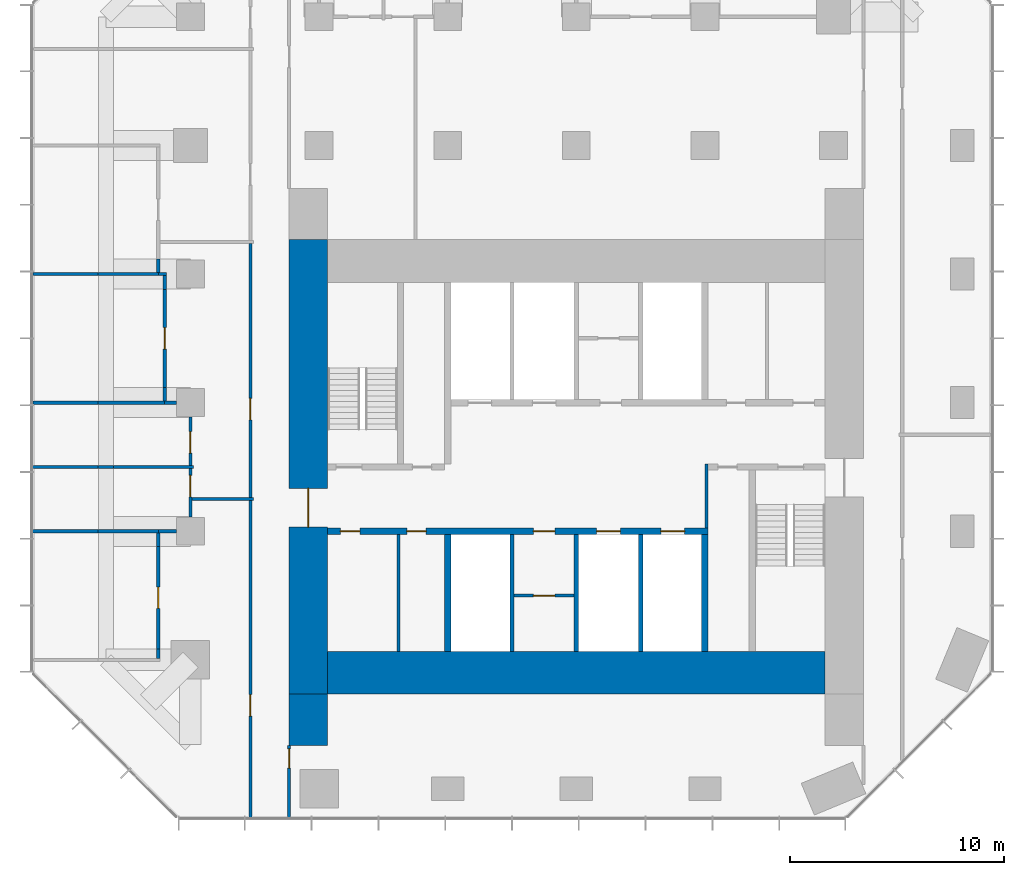
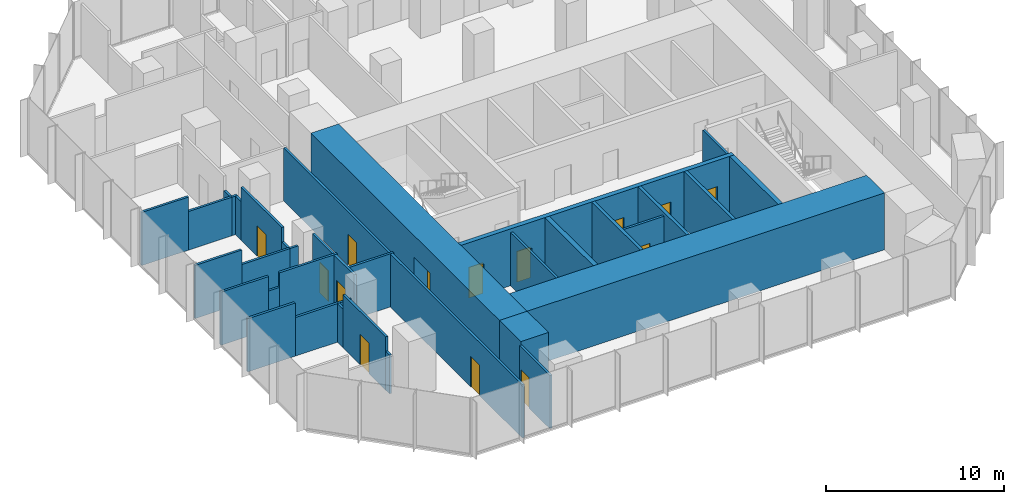
# One storey, part 8 of 11: 37 walls, 14 doors, 14 openings.
"""IFC4 building model written with IfcOpenShell, lengths in metres."""

from ifc_helpers import new_model, si_unit, direction, frame, frame_2d, origin, place, context, subcontext, project, spatial, rectangle, extrude, material, layer, layer_set, type_object, element, fill, save


model = new_model("IFC4")

# Units and contexts
model_context = context("Model", 3, precision=1e-05, world=origin(), true_north=direction((0.0, 1.0)))
body_context = subcontext(model_context, "Body", "Model", "MODEL_VIEW")
ifc_project = project(units=[si_unit("LENGTHUNIT", "METRE"), si_unit("AREAUNIT", "SQUARE_METRE"), si_unit("VOLUMEUNIT", "CUBIC_METRE"), si_unit("PLANEANGLEUNIT", "RADIAN"), si_unit("MASSUNIT", "GRAM", prefix="KILO")], contexts=[model_context])

# Site, building, storey
site_placement = place(None, origin())
site = spatial("IfcSite", under=ifc_project, at=site_placement, CompositionType="ELEMENT")
building_placement = place(site_placement, origin())
building = spatial("IfcBuilding", under=site, at=building_placement, Name="Highveld Stack Headquarters", CompositionType="ELEMENT")
storey_placement = place(building_placement, frame((0.0, 0.0, 200.60009765625)))
storey = spatial("IfcBuildingStorey", under=building, at=storey_placement, Name="L49", CompositionType="ELEMENT", Elevation=200.60009765625)

# Wall, opening, door
ifc_material_1 = material(Name="Concrete C60/75", Category="concrete")
ifc_layer_1 = layer(ifc_material_1, 1.800048828125)
ifc_layer_set_1 = layer_set([ifc_layer_1], Name="Concrete C60/75")
wall_type_1 = type_object("IfcWallType", Name="CORE WALL 1800 C60/75", PredefinedType="SHEAR", material=ifc_layer_set_1)
wall_1_placement = place(storey_placement, frame((-6.5, -7.60009765625, 0.0), z_axis=(0.0, 0.0, 1.0), x_axis=(0.0, 1.0, 0.0)))
wall_1 = element("IfcWall", 1, at=wall_1_placement, inside=storey, type_object=wall_type_1, Name="Core wall W L49", PredefinedType="SHEAR", context=body_context, shape_type="SweptSolid", body=[
    extrude(rectangle(XDim=21.2001953125, YDim=1.800048828125, at=frame_2d((10.60009765625, 0.0))), origin(), (0.0, 0.0, 1.0), 3.89990234375),
])
opening_1_placement = place(wall_1_placement, frame((7.800048828125, 0.0, 0.0)))
opening_1 = element("IfcOpeningElement", 2, at=opening_1_placement, cuts=wall_1, Name="Opening L49-01", PredefinedType="OPENING", context=body_context, shape_type="SweptSolid", body=[
    extrude(rectangle(XDim=1.800048828125, YDim=2.39990234375, at=frame_2d((0.89990234375, 1.199951171875))), frame((0.0, 0.909912109375, 0.0), z_axis=(0.0, -1.0, 0.0), x_axis=(1.0, 0.0, 0.0)), (0.0, 0.0, 1.0), 1.820068359375),
])
ifc_material_2 = material(Name="Steel fire door", Category="steel")
door_type_1 = type_object("IfcDoorType", Name="LOBBY FIRE DOOR D4 1800x2400", OperationType="DOUBLE_DOOR_SINGLE_SWING", PredefinedType="DOOR", material=ifc_material_2)
door_1_placement = place(opening_1_placement, origin())
door_1 = element("IfcDoor", 3, at=door_1_placement, inside=storey, type_object=door_type_1, Name="Core west door L49", OperationType="DOUBLE_DOOR_SINGLE_SWING", OverallHeight=2.39990234375, OverallWidth=1.800048828125, PredefinedType="DOOR", context=body_context, shape_type="SweptSolid", body=[
    extrude(rectangle(XDim=1.800048828125, YDim=2.39990234375, at=frame_2d((0.89990234375, 1.199951171875))), frame((0.0, 0.02490234375, 0.0), z_axis=(0.0, -1.0, 0.0), x_axis=(1.0, 0.0, 0.0)), (0.0, 0.0, 1.0), 0.050048828125),
])
fill(opening_1, door_1)

# Wall
ifc_material_3 = material(Name="Concrete C60/75", Category="concrete")
ifc_layer_2 = layer(ifc_material_3, 2.0)
ifc_layer_set_2 = layer_set([ifc_layer_2], Name="Concrete C60/75")
wall_type_2 = type_object("IfcWallType", Name="CORE WALL 2000 C60/75", PredefinedType="SHEAR", material=ifc_layer_set_2)
wall_2_placement = place(storey_placement, frame((-5.60009765625, -6.60009765625, 0.0), z_axis=(0.0, 0.0, 1.0), x_axis=(1.0, 0.0, 0.0)))
element("IfcWall", 4, at=wall_2_placement, inside=storey, type_object=wall_type_2, Name="Core wall S L49", PredefinedType="SHEAR", context=body_context, shape_type="SweptSolid", body=[
    extrude(rectangle(XDim=23.2001953125, YDim=2.0, at=frame_2d((11.60009765625, 0.0))), origin(), (0.0, 0.0, 1.0), 3.89990234375),
])

# Wall, openings, doors
ifc_material_4 = material(Name="Concrete C60/75", Category="concrete")
ifc_layer_3 = layer(ifc_material_4, 0.300048828125)
ifc_layer_set_3 = layer_set([ifc_layer_3], Name="Concrete C60/75")
wall_type_3 = type_object("IfcWallType", Name="CORE WALL 300 C60/75", PredefinedType="SHEAR", material=ifc_layer_set_3)
wall_3_placement = place(storey_placement, frame((-5.60009765625, 0.0, 0.0), z_axis=(0.0, 0.0, 1.0), x_axis=(1.0, 0.0, 0.0)))
wall_3 = element("IfcWall", 5, at=wall_3_placement, inside=storey, type_object=wall_type_3, Name="Core wall I-Y0 L49", PredefinedType="SHEAR", context=body_context, shape_type="SweptSolid", body=[
    extrude(rectangle(XDim=17.75, YDim=0.300048828125, at=frame_2d((8.875, 0.0))), origin(), (0.0, 0.0, 1.0), 3.89990234375),
])
opening_2_placement = place(wall_3_placement, frame((0.60009765625, 0.0, 0.0)))
opening_2 = element("IfcOpeningElement", 6, at=opening_2_placement, cuts=wall_3, Name="Opening L49-07", PredefinedType="OPENING", context=body_context, shape_type="SweptSolid", body=[
    extrude(rectangle(XDim=0.89990234375, YDim=2.10009765625, at=frame_2d((0.449951171875, 1.050048828125))), frame((0.0, 0.159912109375, 0.0), z_axis=(0.0, -1.0, 0.0), x_axis=(1.0, 0.0, 0.0)), (0.0, 0.0, 1.0), 0.320068359375),
])
opening_3_placement = place(wall_3_placement, frame((3.699951171875, 0.0, 0.0)))
opening_3 = element("IfcOpeningElement", 7, at=opening_3_placement, cuts=wall_3, Name="Opening L49-08", PredefinedType="OPENING", context=body_context, shape_type="SweptSolid", body=[
    extrude(rectangle(XDim=0.89990234375, YDim=2.10009765625, at=frame_2d((0.449951171875, 1.050048828125))), frame((0.0, 0.159912109375, 0.0), z_axis=(0.0, -1.0, 0.0), x_axis=(1.0, 0.0, 0.0)), (0.0, 0.0, 1.0), 0.320068359375),
])
opening_4_placement = place(wall_3_placement, frame((9.60009765625, 0.0, 0.0)))
opening_4 = element("IfcOpeningElement", 8, at=opening_4_placement, cuts=wall_3, Name="Opening L49-14", PredefinedType="OPENING", context=body_context, shape_type="SweptSolid", body=[
    extrude(rectangle(XDim=1.0, YDim=2.10009765625, at=frame_2d((0.5, 1.050048828125))), frame((0.0, 0.159912109375, 0.0), z_axis=(0.0, -1.0, 0.0), x_axis=(1.0, 0.0, 0.0)), (0.0, 0.0, 1.0), 0.320068359375),
])
opening_5_placement = place(wall_3_placement, frame((12.550048828125, 0.0, 0.0)))
opening_5 = element("IfcOpeningElement", 9, at=opening_5_placement, cuts=wall_3, Name="Opening LD", PredefinedType="OPENING", context=body_context, shape_type="SweptSolid", body=[
    extrude(rectangle(XDim=1.10009765625, YDim=2.10009765625, at=frame_2d((0.550048828125, 1.050048828125))), frame((0.0, 0.159912109375, 0.0), z_axis=(0.0, -1.0, 0.0), x_axis=(1.0, 0.0, 0.0)), (0.0, 0.0, 1.0), 0.320068359375),
])
opening_6_placement = place(wall_3_placement, frame((15.550048828125, 0.0, 0.0)))
opening_6 = element("IfcOpeningElement", 10, at=opening_6_placement, cuts=wall_3, Name="Opening LD", PredefinedType="OPENING", context=body_context, shape_type="SweptSolid", body=[
    extrude(rectangle(XDim=1.10009765625, YDim=2.10009765625, at=frame_2d((0.550048828125, 1.050048828125))), frame((0.0, 0.159912109375, 0.0), z_axis=(0.0, -1.0, 0.0), x_axis=(1.0, 0.0, 0.0)), (0.0, 0.0, 1.0), 0.320068359375),
])
ifc_material_5 = material(Name="Steel fire door", Category="steel")
door_type_2 = type_object("IfcDoorType", Name="CORE ROOM FIRE DOOR D14 1000x2100", OperationType="SINGLE_SWING_LEFT", PredefinedType="DOOR", material=ifc_material_5)
door_2_placement = place(opening_4_placement, origin())
door_2 = element("IfcDoor", 11, at=door_2_placement, inside=storey, type_object=door_type_2, Name="Capped B 1 door L49", OperationType="SINGLE_SWING_RIGHT", OverallHeight=2.10009765625, OverallWidth=1.0, PredefinedType="DOOR", context=body_context, shape_type="SweptSolid", body=[
    extrude(rectangle(XDim=1.0, YDim=2.10009765625, at=frame_2d((0.5, 1.050048828125))), frame((0.0, 0.02490234375, 0.0), z_axis=(0.0, -1.0, 0.0), x_axis=(1.0, 0.0, 0.0)), (0.0, 0.0, 1.0), 0.050048828125),
])
fill(opening_4, door_2)
ifc_material_6 = material(Name="Stainless steel lift landing door", Category="steel")
door_type_3 = type_object("IfcDoorType", Name="LIFT LANDING DOOR LD 1100x2100", OperationType="DOUBLE_DOOR_SLIDING", PredefinedType="USERDEFINED", material=ifc_material_6)
door_3_placement = place(opening_5_placement, origin())
door_3 = element("IfcDoor", 12, at=door_3_placement, inside=storey, type_object=door_type_3, Name="Lift landing door C1 L49", ObjectType="LIFT LANDING DOOR", OperationType="DOUBLE_DOOR_SLIDING", OverallHeight=2.10009765625, OverallWidth=1.10009765625, PredefinedType="USERDEFINED", context=body_context, shape_type="SweptSolid", body=[
    extrude(rectangle(XDim=1.10009765625, YDim=2.10009765625, at=frame_2d((0.550048828125, 1.050048828125))), frame((0.0, 0.02490234375, 0.0), z_axis=(0.0, -1.0, 0.0), x_axis=(1.0, 0.0, 0.0)), (0.0, 0.0, 1.0), 0.050048828125),
])
fill(opening_5, door_3)
door_4_placement = place(opening_6_placement, origin())
door_4 = element("IfcDoor", 13, at=door_4_placement, inside=storey, type_object=door_type_3, Name="Lift landing door C2 L49", ObjectType="LIFT LANDING DOOR", OperationType="DOUBLE_DOOR_SLIDING", OverallHeight=2.10009765625, OverallWidth=1.10009765625, PredefinedType="USERDEFINED", context=body_context, shape_type="SweptSolid", body=[
    extrude(rectangle(XDim=1.10009765625, YDim=2.10009765625, at=frame_2d((0.550048828125, 1.050048828125))), frame((0.0, 0.02490234375, 0.0), z_axis=(0.0, -1.0, 0.0), x_axis=(1.0, 0.0, 0.0)), (0.0, 0.0, 1.0), 0.050048828125),
])
fill(opening_6, door_4)
ifc_material_7 = material(Name="Timber door, painted", Category="wood")
door_type_4 = type_object("IfcDoorType", Name="WC DOOR D1 900x2100", OperationType="SINGLE_SWING_LEFT", PredefinedType="DOOR", material=ifc_material_7)
door_5_placement = place(opening_2_placement, origin())
door_5 = element("IfcDoor", 14, at=door_5_placement, inside=storey, type_object=door_type_4, Name="Female WC door L49", OperationType="SINGLE_SWING_LEFT", OverallHeight=2.10009765625, OverallWidth=0.89990234375, PredefinedType="DOOR", context=body_context, shape_type="SweptSolid", body=[
    extrude(rectangle(XDim=0.89990234375, YDim=2.10009765625, at=frame_2d((0.449951171875, 1.050048828125))), frame((0.0, 0.02490234375, 0.0), z_axis=(0.0, -1.0, 0.0), x_axis=(1.0, 0.0, 0.0)), (0.0, 0.0, 1.0), 0.050048828125),
])
fill(opening_2, door_5)
door_6_placement = place(opening_3_placement, origin())
door_6 = element("IfcDoor", 15, at=door_6_placement, inside=storey, type_object=door_type_4, Name="Shower and changing room door L49", OperationType="SINGLE_SWING_LEFT", OverallHeight=2.10009765625, OverallWidth=0.89990234375, PredefinedType="DOOR", context=body_context, shape_type="SweptSolid", body=[
    extrude(rectangle(XDim=0.89990234375, YDim=2.10009765625, at=frame_2d((0.449951171875, 1.050048828125))), frame((0.0, 0.02490234375, 0.0), z_axis=(0.0, -1.0, 0.0), x_axis=(1.0, 0.0, 0.0)), (0.0, 0.0, 1.0), 0.050048828125),
])
fill(opening_3, door_6)

# Walls
for number, where, z_axis, x_axis, name in (
    (16, (0.0, -5.60009765625, 0.0), (0.0, 0.0, 1.0), (0.0, 1.0, 0.0), "Core wall I-X0S L49"),
    (17, (12.0, -5.60009765625, 0.0), (0.0, 0.0, 1.0), (0.0, 1.0, 0.0), "Core wall I-X12S L49"),
):
    element("IfcWall", number, at=place(storey_placement, frame(where, z_axis=z_axis, x_axis=x_axis)), inside=storey, type_object=wall_type_3, Name=name, PredefinedType="SHEAR", context=body_context, shape_type="SweptSolid", body=[
        extrude(rectangle(XDim=5.4501953125, YDim=0.300048828125, at=frame_2d((2.72509765625, 0.0))), origin(), (0.0, 0.0, 1.0), 3.89990234375),
    ])
ifc_material_8 = material(Name="Concrete C60/75", Category="concrete")
ifc_layer_4 = layer(ifc_material_8, 1.800048828125)
ifc_layer_set_4 = layer_set([ifc_layer_4], Name="Concrete C60/75")
wall_type_4 = type_object("IfcWallType", Name="CORE WING WALL 1800 C60/75", PredefinedType="SHEAR", material=ifc_layer_set_4)
wall_4_placement = place(storey_placement, frame((-6.5, -10.0, 0.0), z_axis=(0.0, 0.0, 1.0), x_axis=(0.0, 1.0, 0.0)))
element("IfcWall", 18, at=wall_4_placement, inside=storey, type_object=wall_type_4, Name="Core wing wall WS L49", PredefinedType="SHEAR", context=body_context, shape_type="SweptSolid", body=[
    extrude(rectangle(XDim=2.39990234375, YDim=1.800048828125, at=frame_2d((1.199951171875, 0.0))), origin(), (0.0, 0.0, 1.0), 3.89990234375),
])

# Wall, opening, door
ifc_material_9 = material(Name="Concrete blockwork, plastered", Category="masonry")
ifc_layer_5 = layer(ifc_material_9, 0.14990234375)
ifc_layer_set_5 = layer_set([ifc_layer_5], Name="Concrete blockwork, plastered")
wall_type_5 = type_object("IfcWallType", Name="FIRE PARTITION 150 BLOCKWORK", PredefinedType="PARTITIONING", material=ifc_layer_set_5)
wall_5_placement = place(storey_placement, frame((3.10009765625, -3.0, 0.0), z_axis=(0.0, 0.0, 1.0), x_axis=(1.0, 0.0, 0.0)))
wall_5 = element("IfcWall", 19, at=wall_5_placement, inside=storey, type_object=wall_type_5, Name="Core room partition L49", PredefinedType="PARTITIONING", context=body_context, shape_type="SweptSolid", body=[
    extrude(rectangle(XDim=2.7998046875, YDim=0.14990234375, at=frame_2d((1.39990234375, 0.0))), origin(), (0.0, 0.0, 1.0), 3.64990234375),
])
opening_7_placement = place(wall_5_placement, frame((0.89990234375, 0.0, 0.0)))
opening_7 = element("IfcOpeningElement", 20, at=opening_7_placement, cuts=wall_5, Name="Opening L49-13", PredefinedType="OPENING", context=body_context, shape_type="SweptSolid", body=[
    extrude(rectangle(XDim=1.0, YDim=2.10009765625, at=frame_2d((0.5, 1.050048828125))), frame((0.0, 0.0849609375, 0.0), z_axis=(0.0, -1.0, 0.0), x_axis=(1.0, 0.0, 0.0)), (0.0, 0.0, 1.0), 0.169921875),
])
door_7_placement = place(opening_7_placement, origin())
door_7 = element("IfcDoor", 21, at=door_7_placement, inside=storey, type_object=door_type_2, Name="Capped B 2 door L49", OperationType="SINGLE_SWING_RIGHT", OverallHeight=2.10009765625, OverallWidth=1.0, PredefinedType="DOOR", context=body_context, shape_type="SweptSolid", body=[
    extrude(rectangle(XDim=1.0, YDim=2.10009765625, at=frame_2d((0.5, 1.050048828125))), frame((0.0, 0.02490234375, 0.0), z_axis=(0.0, -1.0, 0.0), x_axis=(1.0, 0.0, 0.0)), (0.0, 0.0, 1.0), 0.050048828125),
])
fill(opening_7, door_7)

# Walls
wall_6_placement = place(storey_placement, frame((12.074951171875, 0.14990234375, 0.0), z_axis=(0.0, 0.0, 1.0), x_axis=(0.0, 1.0, 0.0)))
element("IfcWall", 22, at=wall_6_placement, inside=storey, type_object=wall_type_5, Name="Riser R2 enclosure L49", PredefinedType="PARTITIONING", context=body_context, shape_type="SweptSolid", body=[
    extrude(rectangle(XDim=3.0, YDim=0.14990234375, at=frame_2d((1.5, 0.0))), origin(), (0.0, 0.0, 1.0), 3.64990234375),
])
ifc_material_10 = material(Name="Concrete blockwork, fair-faced", Category="masonry")
ifc_layer_6 = layer(ifc_material_10, 0.199951171875)
ifc_layer_set_6 = layer_set([ifc_layer_6], Name="Concrete blockwork, fair-faced")
wall_type_6 = type_object("IfcWallType", Name="LIFT SHAFT ENCLOSURE WALL 200 BLOCKWORK", PredefinedType="SOLIDWALL", material=ifc_layer_set_6)
for number, where, z_axis, x_axis, name in (
    (23, (3.0, -5.60009765625, 0.0), (0.0, 0.0, 1.0), (0.0, 1.0, 0.0), "Lift shaft wall L49"),
    (24, (6.0, -5.60009765625, 0.0), (0.0, 0.0, 1.0), (0.0, 1.0, 0.0), "Lift shaft wall L49"),
    (25, (9.0, -5.60009765625, 0.0), (0.0, 0.0, 1.0), (0.0, 1.0, 0.0), "Lift shaft wall L49"),
):
    element("IfcWall", number, at=place(storey_placement, frame(where, z_axis=z_axis, x_axis=x_axis)), inside=storey, type_object=wall_type_6, Name=name, PredefinedType="SOLIDWALL", context=body_context, shape_type="SweptSolid", body=[
        extrude(rectangle(XDim=5.4501953125, YDim=0.199951171875, at=frame_2d((2.72509765625, 0.0))), origin(), (0.0, 0.0, 1.0), 3.89990234375),
    ])
ifc_material_11 = material(Name="Gypsum plasterboard on steel studs", Category="steel")
ifc_layer_7 = layer(ifc_material_11, 0.14990234375)
ifc_layer_set_7 = layer_set([ifc_layer_7], Name="Gypsum plasterboard on steel studs")
wall_type_7 = type_object("IfcWallType", Name="PARTITION 150 PLASTERBOARD", PredefinedType="PARTITIONING", material=ifc_layer_set_7)
wall_7_placement = place(storey_placement, frame((-19.39990234375, 0.0, 0.0), z_axis=(0.0, 0.0, 1.0), x_axis=(1.0, 0.0, 0.0)))
element("IfcWall", 26, at=wall_7_placement, inside=storey, type_object=wall_type_7, Name="Partition Office / Quiet room L49", PredefinedType="PARTITIONING", context=body_context, shape_type="SweptSolid", body=[
    extrude(rectangle(XDim=3.08984375, YDim=0.14990234375, at=frame_2d((1.544921875, 0.0))), origin(), (0.0, 0.0, 1.0), 3.64990234375),
])
wall_8_placement = place(storey_placement, frame((-16.31005859375, 0.0, 0.0), z_axis=(0.0, 0.0, 1.0), x_axis=(1.0, 0.0, 0.0)))
element("IfcWall", 27, at=wall_8_placement, inside=storey, type_object=wall_type_7, Name="Partition Office / Quiet room L49", PredefinedType="PARTITIONING", context=body_context, shape_type="SweptSolid", body=[
    extrude(rectangle(XDim=2.885009765625, YDim=0.14990234375, at=frame_2d((1.4423828125, 0.0))), origin(), (0.0, 0.0, 1.0), 2.64990234375),
])
wall_9_placement = place(storey_placement, frame((-13.5, 0.0, 0.0), z_axis=(0.0, 0.0, 1.0), x_axis=(1.0, 0.0, 0.0)))
element("IfcWall", 28, at=wall_9_placement, inside=storey, type_object=wall_type_7, Name="Partition Office L49", PredefinedType="PARTITIONING", context=body_context, shape_type="SweptSolid", body=[
    extrude(rectangle(XDim=0.85009765625, YDim=0.14990234375, at=frame_2d((0.425048828125, 0.0))), origin(), (0.0, 0.0, 1.0), 2.64990234375),
])
wall_10_placement = place(storey_placement, frame((-19.39990234375, 3.0, 0.0), z_axis=(0.0, 0.0, 1.0), x_axis=(1.0, 0.0, 0.0)))
element("IfcWall", 29, at=wall_10_placement, inside=storey, type_object=wall_type_7, Name="Partition Office L49", PredefinedType="PARTITIONING", context=body_context, shape_type="SweptSolid", body=[
    extrude(rectangle(XDim=3.08984375, YDim=0.14990234375, at=frame_2d((1.544921875, 0.0))), origin(), (0.0, 0.0, 1.0), 3.64990234375),
])
wall_11_placement = place(storey_placement, frame((-16.31005859375, 3.0, 0.0), z_axis=(0.0, 0.0, 1.0), x_axis=(1.0, 0.0, 0.0)))
element("IfcWall", 30, at=wall_11_placement, inside=storey, type_object=wall_type_7, Name="Partition Office L49", PredefinedType="PARTITIONING", context=body_context, shape_type="SweptSolid", body=[
    extrude(rectangle(XDim=0.719970703125, YDim=0.14990234375, at=frame_2d((0.35986328125, 0.0))), origin(), (0.0, 0.0, 1.0), 2.64990234375),
])
wall_12_placement = place(storey_placement, frame((-15.590087890625, 3.0, 0.0), z_axis=(0.0, 0.0, 1.0), x_axis=(1.0, 0.0, 0.0)))
element("IfcWall", 31, at=wall_12_placement, inside=storey, type_object=wall_type_7, Name="Partition Office L49", PredefinedType="PARTITIONING", context=body_context, shape_type="SweptSolid", body=[
    extrude(rectangle(XDim=3.739990234375, YDim=0.14990234375, at=frame_2d((1.8701171875, 0.0))), origin(), (0.0, 0.0, 1.0), 3.64990234375),
])
wall_13_placement = place(storey_placement, frame((-19.35009765625, 6.0, 0.0), z_axis=(0.0, 0.0, 1.0), x_axis=(1.0, 0.0, 0.0)))
element("IfcWall", 32, at=wall_13_placement, inside=storey, type_object=wall_type_7, Name="Partition Office / Tea kitchen L49", PredefinedType="PARTITIONING", context=body_context, shape_type="SweptSolid", body=[
    extrude(rectangle(XDim=3.0400390625, YDim=0.14990234375, at=frame_2d((1.52001953125, 0.0))), origin(), (0.0, 0.0, 1.0), 3.64990234375),
])
wall_14_placement = place(storey_placement, frame((-16.31005859375, 6.0, 0.0), z_axis=(0.0, 0.0, 1.0), x_axis=(1.0, 0.0, 0.0)))
element("IfcWall", 33, at=wall_14_placement, inside=storey, type_object=wall_type_7, Name="Partition Office / Tea kitchen L49", PredefinedType="PARTITIONING", context=body_context, shape_type="SweptSolid", body=[
    extrude(rectangle(XDim=3.18505859375, YDim=0.14990234375, at=frame_2d((1.592529296875, 0.0))), origin(), (0.0, 0.0, 1.0), 2.64990234375),
])
wall_15_placement = place(storey_placement, frame((-13.199951171875, 6.0, 0.0), z_axis=(0.0, 0.0, 1.0), x_axis=(1.0, 0.0, 0.0)))
element("IfcWall", 34, at=wall_15_placement, inside=storey, type_object=wall_type_7, Name="Partition Office L49", PredefinedType="PARTITIONING", context=body_context, shape_type="SweptSolid", body=[
    extrude(rectangle(XDim=0.550048828125, YDim=0.14990234375, at=frame_2d((0.27490234375, 0.0))), origin(), (0.0, 0.0, 1.0), 2.64990234375),
])
wall_16_placement = place(storey_placement, frame((-19.35009765625, 12.0, 0.0), z_axis=(0.0, 0.0, 1.0), x_axis=(1.0, 0.0, 0.0)))
element("IfcWall", 35, at=wall_16_placement, inside=storey, type_object=wall_type_7, Name="Partition Quiet room / Tea kitchen L49", PredefinedType="PARTITIONING", context=body_context, shape_type="SweptSolid", body=[
    extrude(rectangle(XDim=3.0400390625, YDim=0.14990234375, at=frame_2d((1.52001953125, 0.0))), origin(), (0.0, 0.0, 1.0), 3.64990234375),
])
wall_17_placement = place(storey_placement, frame((-16.31005859375, 12.0, 0.0), z_axis=(0.0, 0.0, 1.0), x_axis=(1.0, 0.0, 0.0)))
element("IfcWall", 36, at=wall_17_placement, inside=storey, type_object=wall_type_7, Name="Partition Quiet room / Tea kitchen L49", PredefinedType="PARTITIONING", context=body_context, shape_type="SweptSolid", body=[
    extrude(rectangle(XDim=2.885009765625, YDim=0.14990234375, at=frame_2d((1.4423828125, 0.0))), origin(), (0.0, 0.0, 1.0), 2.64990234375),
])
wall_18_placement = place(storey_placement, frame((-13.5, 12.0, 0.0), z_axis=(0.0, 0.0, 1.0), x_axis=(1.0, 0.0, 0.0)))
element("IfcWall", 37, at=wall_18_placement, inside=storey, type_object=wall_type_7, Name="Partition Tea kitchen L49", PredefinedType="PARTITIONING", context=body_context, shape_type="SweptSolid", body=[
    extrude(rectangle(XDim=0.375, YDim=0.14990234375, at=frame_2d((0.1875, 0.0))), origin(), (0.0, 0.0, 1.0), 2.64990234375),
])
wall_19_placement = place(storey_placement, frame((-13.5, -5.925048828125, 0.0), z_axis=(0.0, 0.0, 1.0), x_axis=(0.0, 1.0, 0.0)))
element("IfcWall", 38, at=wall_19_placement, inside=storey, type_object=wall_type_7, Name="Partition Quiet room L49", PredefinedType="PARTITIONING", context=body_context, shape_type="SweptSolid", body=[
    extrude(rectangle(XDim=0.43505859375, YDim=0.14990234375, at=frame_2d((0.217529296875, 0.0))), origin(), (0.0, 0.0, 1.0), 2.64990234375),
])

# Wall, opening, door
wall_20_placement = place(storey_placement, frame((-13.5, -5.489990234375, 0.0), z_axis=(0.0, 0.0, 1.0), x_axis=(0.0, 1.0, 0.0)))
wall_20 = element("IfcWall", 39, at=wall_20_placement, inside=storey, type_object=wall_type_7, Name="Partition Quiet room L49", PredefinedType="PARTITIONING", context=body_context, shape_type="SweptSolid", body=[
    extrude(rectangle(XDim=4.780029296875, YDim=0.14990234375, at=frame_2d((2.39013671875, 0.0))), origin(), (0.0, 0.0, 1.0), 3.64990234375),
])
opening_8_placement = place(wall_20_placement, frame((1.889892578125, 0.0, 0.0)))
opening_8 = element("IfcOpeningElement", 40, at=opening_8_placement, cuts=wall_20, Name="Opening L49-15", PredefinedType="OPENING", context=body_context, shape_type="SweptSolid", body=[
    extrude(rectangle(XDim=1.0, YDim=2.10009765625, at=frame_2d((0.5, 1.050048828125))), frame((0.0, 0.0849609375, 0.0), z_axis=(0.0, -1.0, 0.0), x_axis=(1.0, 0.0, 0.0)), (0.0, 0.0, 1.0), 0.169921875),
])
ifc_material_12 = material(Name="Timber door, oiled ash", Category="wood")
door_type_5 = type_object("IfcDoorType", Name="ROOM DOOR D6 1000x2100", OperationType="SINGLE_SWING_LEFT", PredefinedType="DOOR", material=ifc_material_12)
door_8_placement = place(opening_8_placement, origin())
door_8 = element("IfcDoor", 41, at=door_8_placement, inside=storey, type_object=door_type_5, Name="Quiet room door 1 L49", OperationType="SINGLE_SWING_LEFT", OverallHeight=2.10009765625, OverallWidth=1.0, PredefinedType="DOOR", context=body_context, shape_type="SweptSolid", body=[
    extrude(rectangle(XDim=1.0, YDim=2.10009765625, at=frame_2d((0.5, 1.050048828125))), frame((0.0, 0.02490234375, 0.0), z_axis=(0.0, -1.0, 0.0), x_axis=(1.0, 0.0, 0.0)), (0.0, 0.0, 1.0), 0.050048828125),
])
fill(opening_8, door_8)

# Walls
for number, where, z_axis, x_axis, name in (
    (42, (-13.5, -0.7099609375, 0.0), (0.0, 0.0, 1.0), (0.0, 1.0, 0.0), "Partition Quiet room L49"),
    (43, (-13.5, 12.074951171875, 0.0), (0.0, 0.0, 1.0), (0.0, 1.0, 0.0), "Partition Quiet room L49"),
    (44, (-13.199951171875, 6.074951171875, 0.0), (0.0, 0.0, 1.0), (0.0, 1.0, 0.0), "Partition Tea kitchen L49"),
):
    element("IfcWall", number, at=place(storey_placement, frame(where, z_axis=z_axis, x_axis=x_axis)), inside=storey, type_object=wall_type_7, Name=name, PredefinedType="PARTITIONING", context=body_context, shape_type="SweptSolid", body=[
        extrude(rectangle(XDim=0.635009765625, YDim=0.14990234375, at=frame_2d((0.3173828125, 0.0))), origin(), (0.0, 0.0, 1.0), 2.64990234375),
    ])

# Wall, opening, door
wall_21_placement = place(storey_placement, frame((-13.199951171875, 6.7099609375, 0.0), z_axis=(0.0, 0.0, 1.0), x_axis=(0.0, 1.0, 0.0)))
wall_21 = element("IfcWall", 45, at=wall_21_placement, inside=storey, type_object=wall_type_7, Name="Partition Tea kitchen L49", PredefinedType="PARTITIONING", context=body_context, shape_type="SweptSolid", body=[
    extrude(rectangle(XDim=4.580078125, YDim=0.14990234375, at=frame_2d((2.2900390625, 0.0))), origin(), (0.0, 0.0, 1.0), 3.64990234375),
])
opening_9_placement = place(wall_21_placement, frame((1.7900390625, 0.0, 0.0)))
opening_9 = element("IfcOpeningElement", 46, at=opening_9_placement, cuts=wall_21, Name="Opening L49-18", PredefinedType="OPENING", context=body_context, shape_type="SweptSolid", body=[
    extrude(rectangle(XDim=1.0, YDim=2.10009765625, at=frame_2d((0.5, 1.050048828125))), frame((0.0, 0.0849609375, 0.0), z_axis=(0.0, -1.0, 0.0), x_axis=(1.0, 0.0, 0.0)), (0.0, 0.0, 1.0), 0.169921875),
])
door_9_placement = place(opening_9_placement, origin())
door_9 = element("IfcDoor", 47, at=door_9_placement, inside=storey, type_object=door_type_5, Name="Tea kitchen door 1 L49", OperationType="SINGLE_SWING_RIGHT", OverallHeight=2.10009765625, OverallWidth=1.0, PredefinedType="DOOR", context=body_context, shape_type="SweptSolid", body=[
    extrude(rectangle(XDim=1.0, YDim=2.10009765625, at=frame_2d((0.5, 1.050048828125))), frame((0.0, 0.02490234375, 0.0), z_axis=(0.0, -1.0, 0.0), x_axis=(1.0, 0.0, 0.0)), (0.0, 0.0, 1.0), 0.050048828125),
])
fill(opening_9, door_9)

# Wall
wall_22_placement = place(storey_placement, frame((-13.199951171875, 11.2900390625, 0.0), z_axis=(0.0, 0.0, 1.0), x_axis=(0.0, 1.0, 0.0)))
element("IfcWall", 48, at=wall_22_placement, inside=storey, type_object=wall_type_7, Name="Partition Tea kitchen L49", PredefinedType="PARTITIONING", context=body_context, shape_type="SweptSolid", body=[
    extrude(rectangle(XDim=0.635009765625, YDim=0.14990234375, at=frame_2d((0.3173828125, 0.0))), origin(), (0.0, 0.0, 1.0), 2.64990234375),
])

# Wall, opening, door
wall_23_placement = place(storey_placement, frame((-12.0, 0.659912109375, 0.0), z_axis=(0.0, 0.0, 1.0), x_axis=(0.0, 1.0, 0.0)))
wall_23 = element("IfcWall", 49, at=wall_23_placement, inside=storey, type_object=wall_type_7, Name="Partition Office L49", PredefinedType="PARTITIONING", context=body_context, shape_type="SweptSolid", body=[
    extrude(rectangle(XDim=2.26513671875, YDim=0.14990234375, at=frame_2d((1.132568359375, 0.0))), origin(), (0.0, 0.0, 1.0), 3.64990234375),
])
opening_10_placement = place(wall_23_placement, frame((0.949951171875, 0.0, 0.0)))
opening_10 = element("IfcOpeningElement", 50, at=opening_10_placement, cuts=wall_23, Name="Opening L49-16", PredefinedType="OPENING", context=body_context, shape_type="SweptSolid", body=[
    extrude(rectangle(XDim=1.0, YDim=2.10009765625, at=frame_2d((0.5, 1.050048828125))), frame((0.0, 0.0849609375, 0.0), z_axis=(0.0, -1.0, 0.0), x_axis=(1.0, 0.0, 0.0)), (0.0, 0.0, 1.0), 0.169921875),
])
door_10_placement = place(opening_10_placement, origin())
door_10 = element("IfcDoor", 51, at=door_10_placement, inside=storey, type_object=door_type_5, Name="Office door 1 L49", OperationType="SINGLE_SWING_RIGHT", OverallHeight=2.10009765625, OverallWidth=1.0, PredefinedType="DOOR", context=body_context, shape_type="SweptSolid", body=[
    extrude(rectangle(XDim=1.0, YDim=2.10009765625, at=frame_2d((0.5, 1.050048828125))), frame((0.0, 0.02490234375, 0.0), z_axis=(0.0, -1.0, 0.0), x_axis=(1.0, 0.0, 0.0)), (0.0, 0.0, 1.0), 0.050048828125),
])
fill(opening_10, door_10)

wall_24_placement = place(storey_placement, frame((-12.0, 3.074951171875, 0.0), z_axis=(0.0, 0.0, 1.0), x_axis=(0.0, 1.0, 0.0)))
wall_24 = element("IfcWall", 52, at=wall_24_placement, inside=storey, type_object=wall_type_7, Name="Partition Office L49", PredefinedType="PARTITIONING", context=body_context, shape_type="SweptSolid", body=[
    extrude(rectangle(XDim=2.26513671875, YDim=0.14990234375, at=frame_2d((1.132568359375, 0.0))), origin(), (0.0, 0.0, 1.0), 3.64990234375),
])
opening_11_placement = place(wall_24_placement, frame((0.570068359375, 0.0, 0.0)))
opening_11 = element("IfcOpeningElement", 53, at=opening_11_placement, cuts=wall_24, Name="Opening L49-17", PredefinedType="OPENING", context=body_context, shape_type="SweptSolid", body=[
    extrude(rectangle(XDim=1.0, YDim=2.10009765625, at=frame_2d((0.5, 1.050048828125))), frame((0.0, 0.0849609375, 0.0), z_axis=(0.0, -1.0, 0.0), x_axis=(1.0, 0.0, 0.0)), (0.0, 0.0, 1.0), 0.169921875),
])
door_11_placement = place(opening_11_placement, origin())
door_11 = element("IfcDoor", 54, at=door_11_placement, inside=storey, type_object=door_type_5, Name="Office door 1 L49", OperationType="SINGLE_SWING_LEFT", OverallHeight=2.10009765625, OverallWidth=1.0, PredefinedType="DOOR", context=body_context, shape_type="SweptSolid", body=[
    extrude(rectangle(XDim=1.0, YDim=2.10009765625, at=frame_2d((0.5, 1.050048828125))), frame((0.0, 0.02490234375, 0.0), z_axis=(0.0, -1.0, 0.0), x_axis=(1.0, 0.0, 0.0)), (0.0, 0.0, 1.0), 0.050048828125),
])
fill(opening_11, door_11)

# Wall
wall_25_placement = place(storey_placement, frame((-11.925048828125, 1.5, 0.0), z_axis=(0.0, 0.0, 1.0), x_axis=(1.0, 0.0, 0.0)))
element("IfcWall", 55, at=wall_25_placement, inside=storey, type_object=wall_type_7, Name="Partition office neighbourhood L49", PredefinedType="PARTITIONING", context=body_context, shape_type="SweptSolid", body=[
    extrude(rectangle(XDim=2.875, YDim=0.14990234375, at=frame_2d((1.4375, 0.0))), origin(), (0.0, 0.0, 1.0), 3.64990234375),
])

# Wall, opening, door
wall_26_placement = place(storey_placement, frame((-9.199951171875, -13.39990234375, 0.0), z_axis=(0.0, 0.0, 1.0), x_axis=(0.0, 1.0, 0.0)))
wall_26 = element("IfcWall", 56, at=wall_26_placement, inside=storey, type_object=wall_type_7, Name="Partition office neighbourhood L49", PredefinedType="PARTITIONING", context=body_context, shape_type="SweptSolid", body=[
    extrude(rectangle(XDim=14.824951171875, YDim=0.14990234375, at=frame_2d((7.41259765625, 0.0))), origin(), (0.0, 0.0, 1.0), 3.64990234375),
])
opening_12_placement = place(wall_26_placement, frame((4.780029296875, 0.0, 0.0)))
opening_12 = element("IfcOpeningElement", 57, at=opening_12_placement, cuts=wall_26, Name="Opening L49-25", PredefinedType="OPENING", context=body_context, shape_type="SweptSolid", body=[
    extrude(rectangle(XDim=1.0, YDim=2.10009765625, at=frame_2d((0.5, 1.050048828125))), frame((0.0, 0.0849609375, 0.0), z_axis=(0.0, -1.0, 0.0), x_axis=(1.0, 0.0, 0.0)), (0.0, 0.0, 1.0), 0.169921875),
])
door_12_placement = place(opening_12_placement, origin())
door_12 = element("IfcDoor", 58, at=door_12_placement, inside=storey, type_object=door_type_5, Name="Office neighbourhood door L49", OperationType="SINGLE_SWING_LEFT", OverallHeight=2.10009765625, OverallWidth=1.0, PredefinedType="DOOR", context=body_context, shape_type="SweptSolid", body=[
    extrude(rectangle(XDim=1.0, YDim=2.10009765625, at=frame_2d((0.5, 1.050048828125))), frame((0.0, 0.02490234375, 0.0), z_axis=(0.0, -1.0, 0.0), x_axis=(1.0, 0.0, 0.0)), (0.0, 0.0, 1.0), 0.050048828125),
])
fill(opening_12, door_12)

wall_27_placement = place(storey_placement, frame((-9.199951171875, 1.574951171875, 0.0), z_axis=(0.0, 0.0, 1.0), x_axis=(0.0, 1.0, 0.0)))
wall_27 = element("IfcWall", 59, at=wall_27_placement, inside=storey, type_object=wall_type_7, Name="Partition office neighbourhood L49", PredefinedType="PARTITIONING", context=body_context, shape_type="SweptSolid", body=[
    extrude(rectangle(XDim=11.85009765625, YDim=0.14990234375, at=frame_2d((5.925048828125, 0.0))), origin(), (0.0, 0.0, 1.0), 3.64990234375),
])
opening_13_placement = place(wall_27_placement, frame((3.625, 0.0, 0.0)))
opening_13 = element("IfcOpeningElement", 60, at=opening_13_placement, cuts=wall_27, Name="Opening L49-27", PredefinedType="OPENING", context=body_context, shape_type="SweptSolid", body=[
    extrude(rectangle(XDim=1.0, YDim=2.10009765625, at=frame_2d((0.5, 1.050048828125))), frame((0.0, 0.0849609375, 0.0), z_axis=(0.0, -1.0, 0.0), x_axis=(1.0, 0.0, 0.0)), (0.0, 0.0, 1.0), 0.169921875),
])
door_13_placement = place(opening_13_placement, origin())
door_13 = element("IfcDoor", 61, at=door_13_placement, inside=storey, type_object=door_type_5, Name="Office neighbourhood door L49", OperationType="SINGLE_SWING_LEFT", OverallHeight=2.10009765625, OverallWidth=1.0, PredefinedType="DOOR", context=body_context, shape_type="SweptSolid", body=[
    extrude(rectangle(XDim=1.0, YDim=2.10009765625, at=frame_2d((0.5, 1.050048828125))), frame((0.0, 0.02490234375, 0.0), z_axis=(0.0, -1.0, 0.0), x_axis=(1.0, 0.0, 0.0)), (0.0, 0.0, 1.0), 0.050048828125),
])
fill(opening_13, door_13)

wall_28_placement = place(storey_placement, frame((-7.39990234375, -13.39990234375, 0.0), z_axis=(0.0, 0.0, 1.0), x_axis=(0.0, 1.0, 0.0)))
wall_28 = element("IfcWall", 62, at=wall_28_placement, inside=storey, type_object=wall_type_7, Name="Partition office neighbourhood L49", PredefinedType="PARTITIONING", context=body_context, shape_type="SweptSolid", body=[
    extrude(rectangle(XDim=3.39990234375, YDim=0.14990234375, at=frame_2d((1.699951171875, 0.0))), origin(), (0.0, 0.0, 1.0), 3.64990234375),
])
opening_14_placement = place(wall_28_placement, frame((2.35009765625, 0.0, 0.0)))
opening_14 = element("IfcOpeningElement", 63, at=opening_14_placement, cuts=wall_28, Name="Opening L49-33", PredefinedType="OPENING", context=body_context, shape_type="SweptSolid", body=[
    extrude(rectangle(XDim=0.89990234375, YDim=2.10009765625, at=frame_2d((0.449951171875, 1.050048828125))), frame((0.0, 0.0849609375, 0.0), z_axis=(0.0, -1.0, 0.0), x_axis=(1.0, 0.0, 0.0)), (0.0, 0.0, 1.0), 0.169921875),
])
ifc_material_13 = material(Name="Timber door, oiled ash", Category="wood")
door_type_6 = type_object("IfcDoorType", Name="ROOM DOOR D15 900x2100", OperationType="SINGLE_SWING_LEFT", PredefinedType="DOOR", material=ifc_material_13)
door_14_placement = place(opening_14_placement, origin())
door_14 = element("IfcDoor", 64, at=door_14_placement, inside=storey, type_object=door_type_6, Name="Office neighbourhood door L49", OperationType="SINGLE_SWING_RIGHT", OverallHeight=2.10009765625, OverallWidth=0.89990234375, PredefinedType="DOOR", context=body_context, shape_type="SweptSolid", body=[
    extrude(rectangle(XDim=0.89990234375, YDim=2.10009765625, at=frame_2d((0.449951171875, 1.050048828125))), frame((0.0, 0.02490234375, 0.0), z_axis=(0.0, -1.0, 0.0), x_axis=(1.0, 0.0, 0.0)), (0.0, 0.0, 1.0), 0.050048828125),
])
fill(opening_14, door_14)

# Wall
ifc_material_14 = material(Name="Concrete blockwork, tiled", Category="masonry")
ifc_layer_8 = layer(ifc_material_14, 0.14990234375)
ifc_layer_set_8 = layer_set([ifc_layer_8], Name="Concrete blockwork, tiled")
wall_type_8 = type_object("IfcWallType", Name="WC PARTITION 150", PredefinedType="PLUMBINGWALL", material=ifc_layer_set_8)
wall_29_placement = place(storey_placement, frame((-2.300048828125, -5.60009765625, 0.0), z_axis=(0.0, 0.0, 1.0), x_axis=(0.0, 1.0, 0.0)))
element("IfcWall", 65, at=wall_29_placement, inside=storey, type_object=wall_type_8, Name="Toilet partition L49", PredefinedType="PLUMBINGWALL", context=body_context, shape_type="SweptSolid", body=[
    extrude(rectangle(XDim=5.4501953125, YDim=0.14990234375, at=frame_2d((2.72509765625, 0.0))), origin(), (0.0, 0.0, 1.0), 3.64990234375),
])

save(model, "model.ifc")
